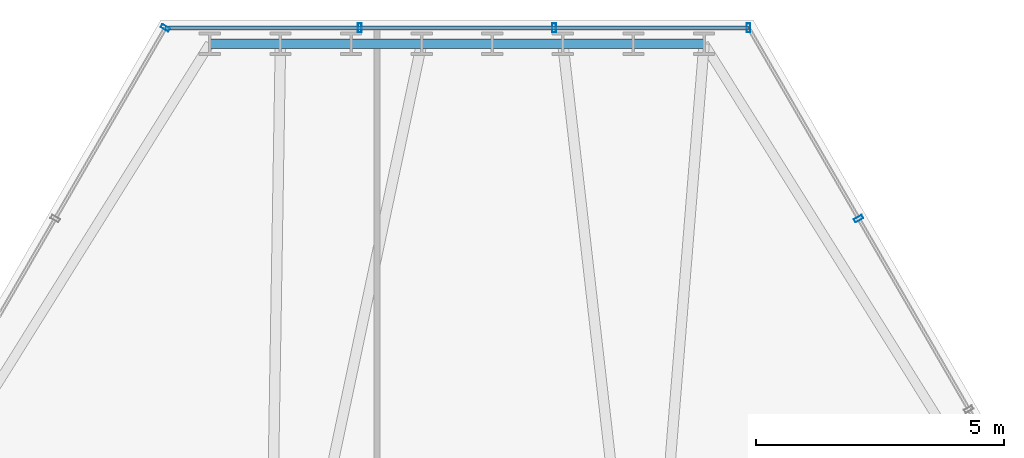
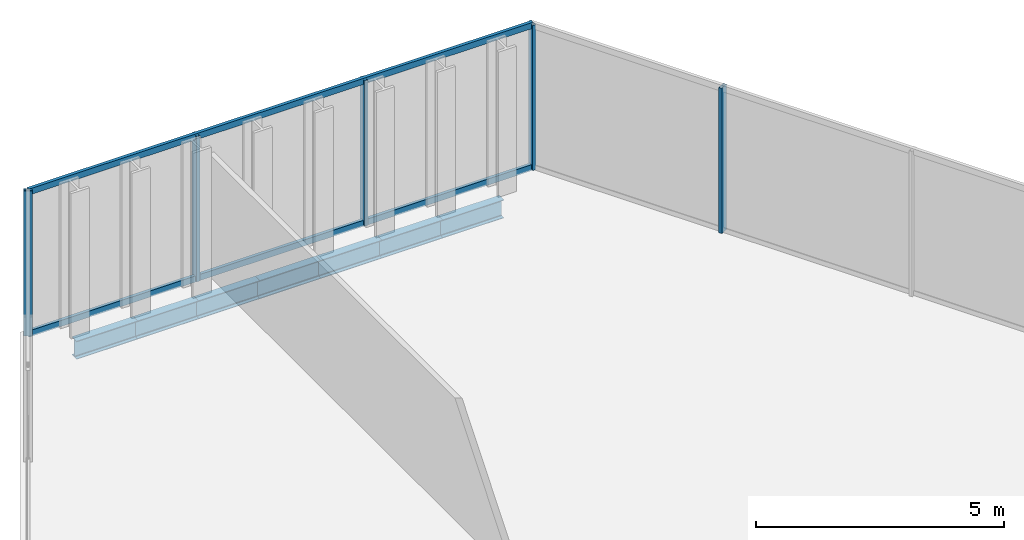
# One storey, part 22 of 31: 7 beams, 7 members, 3 elements without a shape of their own.
"""IFC4 building model written with IfcOpenShell, lengths in metres."""

import ifcopenshell
import ifcopenshell.guid

model = None  # the IFC model being written
_history = None  # IfcOwnerHistory: only IFC2X3 demands one
_inside = {}  # id of a spatial element -> (the spatial element, [elements in it])
_under = {}  # id of a project, library or spatial element -> (it, [spatial elements below it])
_declared = {}  # id of a project -> (the project, [libraries it declares])
_typed = {}  # id of a type object -> (the type object, [elements of that type])
_made_of = {}  # id of a material, layer set ... -> (it, [elements and type objects made of it])


def new_model(schema):
    """Start an empty IFC model of exactly this schema.

    Asked for "IFC4X3", IfcOpenShell would pick the latest addendum, in which some entities
    have other attributes; the version numbers below select the first issue.
    IFC2X3 requires an IfcOwnerHistory on every rooted entity: one is made here for all.
    """
    global model, _history
    if schema == "IFC4X3":
        model = ifcopenshell.file(schema_version=(4, 3, 0, 0))
    else:
        model = ifcopenshell.file(schema=schema)
    _inside.clear()
    _under.clear()
    _declared.clear()
    _typed.clear()
    _made_of.clear()
    _history = None
    if model.schema == "IFC2X3":
        org = make("IfcOrganization", Name="unknown")
        user = make(
            "IfcPersonAndOrganization",
            ThePerson=make("IfcPerson", FamilyName="unknown"),
            TheOrganization=org,
        )
        app = make(
            "IfcApplication",
            ApplicationDeveloper=org,
            Version="unknown",
            ApplicationFullName="unknown",
            ApplicationIdentifier="unknown",
        )
        _history = make(
            "IfcOwnerHistory",
            OwningUser=user,
            OwningApplication=app,
            ChangeAction="ADDED",
            CreationDate=0,
        )
    return model


def make(cls, **values):
    """One entity of the class cls with the attributes given. An attribute that is None is left unset."""
    return model.create_entity(
        cls, **{name: value for name, value in values.items() if value is not None}
    )


def rooted(cls, **values):
    """An entity with a GlobalId (a new one), such as an element, a storey or a relation."""
    return make(cls, GlobalId=ifcopenshell.guid.new(), OwnerHistory=_history, **values)


def si_unit(unit_type, name, prefix=None):
    """IfcSIUnit, for example si_unit("LENGTHUNIT", "METRE", prefix="MILLI")."""
    return make("IfcSIUnit", UnitType=unit_type, Prefix=prefix, Name=name)


def assignment(units):
    """IfcUnitAssignment: the units of a project."""
    return None if units is None else make("IfcUnitAssignment", Units=units)


def point(xyz):
    """IfcCartesianPoint."""
    return None if xyz is None else make("IfcCartesianPoint", Coordinates=xyz)


def direction(xyz):
    """IfcDirection."""
    return None if xyz is None else make("IfcDirection", DirectionRatios=xyz)


def frame(location, z_axis=None, x_axis=None):
    """IfcAxis2Placement3D, a coordinate frame: its origin and axes. An axis left out is left unset."""
    return make(
        "IfcAxis2Placement3D",
        Location=point(location),
        Axis=direction(z_axis),
        RefDirection=direction(x_axis),
    )


def frame_2d(location, x_axis=None):
    """IfcAxis2Placement2D, a coordinate frame in the plane: its origin and x axis."""
    return make(
        "IfcAxis2Placement2D", Location=point(location), RefDirection=direction(x_axis)
    )


def origin():
    """The frame at (0, 0, 0) with its axes left unset."""
    return frame((0.0, 0.0, 0.0))


def origin_2d():
    """The frame at (0, 0) in the plane with its x axis left unset."""
    return frame_2d((0.0, 0.0))


def place(relative_to, where):
    """IfcLocalPlacement: puts the frame where relative to a parent placement (None: the world)."""
    return make(
        "IfcLocalPlacement", PlacementRelTo=relative_to, RelativePlacement=where
    )


def context(
    kind, dimensions, precision=None, world=None, true_north=None, identifier=None
):
    """IfcGeometricRepresentationContext, for example the 3D "Model" context."""
    return make(
        "IfcGeometricRepresentationContext",
        ContextIdentifier=identifier,
        ContextType=kind,
        CoordinateSpaceDimension=dimensions,
        Precision=precision,
        WorldCoordinateSystem=world,
        TrueNorth=true_north,
    )


def subcontext(parent, identifier, kind, view, scale=None):
    """IfcGeometricRepresentationSubContext, for example "Body" below "Model"."""
    return make(
        "IfcGeometricRepresentationSubContext",
        ContextIdentifier=identifier,
        ContextType=kind,
        ParentContext=parent,
        TargetScale=scale,
        TargetView=view,
    )


def project(units=None, contexts=None):
    """IfcProject with its units and contexts."""
    return rooted(
        "IfcProject",
        Name="project",
        RepresentationContexts=contexts,
        UnitsInContext=assignment(units),
    )


def spatial(cls, under=None, at=None, **own):
    """A site, building, storey or space (cls), placed at a placement, below another one or the project."""
    s = rooted(cls, ObjectPlacement=at, **own)
    if under is not None:
        _under.setdefault(under.id(), (under, []))[1].append(s)
    return s


def profile(cls, at=None, kind="AREA", **sizes):
    """A parametric profile (cls). Its sizes go by their IFC names, for example OverallWidth=200.0."""
    return make(cls, ProfileType=kind, Position=at, **sizes)


def hollow_rectangle(**sizes):
    """IfcRectangleHollowProfileDef."""
    return profile("IfcRectangleHollowProfileDef", **sizes)


def i_section(**sizes):
    """IfcIShapeProfileDef."""
    return profile("IfcIShapeProfileDef", **sizes)


def extrude(swept, where, along, depth):
    """IfcExtrudedAreaSolid: the profile swept, set in the frame where, extruded along a direction by depth."""
    return make(
        "IfcExtrudedAreaSolid",
        SweptArea=swept,
        Position=where,
        ExtrudedDirection=direction(along),
        Depth=depth,
    )


def shape(context_of_items, identifier, shape_type, items):
    """IfcShapeRepresentation: the items that make up one representation, for example the "Body"."""
    return make(
        "IfcShapeRepresentation",
        ContextOfItems=context_of_items,
        RepresentationIdentifier=identifier,
        RepresentationType=shape_type,
        Items=items,
    )


def material(Name=None, Category=None):
    """IfcMaterial."""
    return make("IfcMaterial", Name=Name, Category=Category)


def layer(
    of_material, thickness, ventilated=None, Name=None, Category=None, Priority=None
):
    """IfcMaterialLayer: one layer of a wall or slab, of a material (None: an air gap)."""
    return make(
        "IfcMaterialLayer",
        Material=of_material,
        LayerThickness=thickness,
        IsVentilated=ventilated,
        Name=Name,
        Category=Category,
        Priority=Priority,
    )


def layer_set(layers, Name=None):
    """IfcMaterialLayerSet."""
    return make("IfcMaterialLayerSet", MaterialLayers=layers, LayerSetName=Name)


def material_profile(
    of_material, cross_section, Name=None, Category=None, Priority=None
):
    """IfcMaterialProfile: a cross section and its material."""
    return make(
        "IfcMaterialProfile",
        Name=Name,
        Material=of_material,
        Profile=cross_section,
        Priority=Priority,
        Category=Category,
    )


def profile_set(profiles, Name=None, composite=None):
    """IfcMaterialProfileSet."""
    return make(
        "IfcMaterialProfileSet",
        Name=Name,
        MaterialProfiles=profiles,
        CompositeProfile=composite,
    )


def made_of(thing, what):
    """Note that an element or type object is made of a material, layer set ...; save() writes the relation."""
    if what is not None:
        _made_of.setdefault(what.id(), (what, []))[1].append(thing)
    return thing


def type_object(cls, material=None, **own):
    """A type object (cls), such as IfcWallType, which elements share."""
    return made_of(rooted(cls, **own), material)


def element(
    cls,
    number,
    at=None,
    inside=None,
    cuts=None,
    type_object=None,
    material=None,
    context=None,
    identifier="Body",
    shape_type=None,
    held_by="IfcProductDefinitionShape",
    body=None,
    shapes=None,
    **own,
):
    """One element of the class cls, such as IfcWall. Its Tag is "e" and its number.

    at: its placement. inside: the storey or other place that contains it. cuts: it is an
    opening in that element (IfcRelVoidsElement). A single representation is given by context,
    identifier, shape_type and body (its items); several are given by shapes. held_by: the class
    of the entity that holds the representations. save() writes the other relations.
    """
    e = rooted(cls, Tag="e%d" % number, ObjectPlacement=at, **own)
    if body is not None:
        shapes = [shape(context, identifier, shape_type, body)]
    if shapes is not None:
        e.Representation = make(held_by, Representations=shapes)
    if inside is not None:
        _inside.setdefault(inside.id(), (inside, []))[1].append(e)
    if cuts is not None:
        rooted(
            "IfcRelVoidsElement", RelatingBuildingElement=cuts, RelatedOpeningElement=e
        )
    if type_object is not None:
        _typed.setdefault(type_object.id(), (type_object, []))[1].append(e)
    return made_of(e, material)


def aggregate(whole, parts):
    """IfcRelAggregates: a whole, such as a stair, and the parts it consists of."""
    return rooted("IfcRelAggregates", RelatingObject=whole, RelatedObjects=parts)


def save(model, path):
    """Write the relations noted so far, then the file.

    IfcRelAggregates (storeys below a building ...), IfcRelContainedInSpatialStructure (elements
    in a storey), IfcRelDefinesByType, IfcRelAssociatesMaterial and IfcRelDeclares: one each for
    every whole, place, type object, material and project.
    """
    for whole, parts in _under.values():
        aggregate(whole, parts)
    for where, things in _inside.values():
        rooted(
            "IfcRelContainedInSpatialStructure",
            RelatedElements=things,
            RelatingStructure=where,
        )
    for kind, things in _typed.values():
        rooted("IfcRelDefinesByType", RelatedObjects=things, RelatingType=kind)
    for what, things in _made_of.values():
        rooted("IfcRelAssociatesMaterial", RelatedObjects=things, RelatingMaterial=what)
    for by, libraries in _declared.values():
        rooted("IfcRelDeclares", RelatingContext=by, RelatedDefinitions=libraries)
    model.write(path)


model = new_model("IFC4")

# Units and contexts
model_context = context("Model", 3, precision=1e-05, world=origin(), true_north=direction((0.0, 1.0)))
body_context = subcontext(model_context, "Body", "Model", "MODEL_VIEW")
ifc_project = project(units=[si_unit("LENGTHUNIT", "METRE"), si_unit("AREAUNIT", "SQUARE_METRE"), si_unit("VOLUMEUNIT", "CUBIC_METRE"), si_unit("PLANEANGLEUNIT", "RADIAN"), si_unit("MASSUNIT", "GRAM", prefix="KILO")], contexts=[model_context])

# Site, building, storey
site_placement = place(None, origin())
site = spatial("IfcSite", under=ifc_project, at=site_placement, CompositionType="ELEMENT")
building_placement = place(site_placement, origin())
building = spatial("IfcBuilding", under=site, at=building_placement, Name="Ndaravel Arena Tower", CompositionType="ELEMENT")
storey_placement = place(building_placement, frame((0.0, 0.0, 142.199951171875)))
storey = spatial("IfcBuildingStorey", under=building, at=storey_placement, Name="L33", CompositionType="ELEMENT", Elevation=142.199951171875)

# Beams
ifc_material_1 = material(Name="Steel S355", Category="steel")
ifc_material_profile_1 = material_profile(ifc_material_1, i_section(OverallWidth=0.18994140625, OverallDepth=0.449951171875, WebThickness=0.009521484375, FlangeThickness=0.0146484375, FilletRadius=0.02099609375, at=origin_2d()), Name="IPE 450")
ifc_profile_set_1 = profile_set([ifc_material_profile_1], Name="Steel S355")
beam_type = type_object("IfcBeamType", Name="BM-SPAN-IPE450", PredefinedType="SPANDREL", material=ifc_profile_set_1)
beam_1_placement = place(storey_placement, frame((46.98291015625, 45.784912109375, -0.445068359375), z_axis=(-1.0, 0.0, 0.0), x_axis=(0.0, -1.0, 0.0)))
element("IfcBeam", 1, at=beam_1_placement, inside=storey, type_object=beam_type, Name="L33 Perimeter Spandrel Beam SP-11", PredefinedType="SPANDREL", context=body_context, shape_type="SweptSolid", body=[
    extrude(i_section(OverallWidth=0.18994140625, OverallDepth=0.449951171875, WebThickness=0.009521484375, FlangeThickness=0.0146484375, FilletRadius=0.02099609375, at=origin_2d()), origin(), (0.0, 0.0, 1.0), 1.423828125),
])
for number, where, z_axis, x_axis, name in (
    (2, (45.55908203125, 45.784912109375, -0.445068359375), (-1.0, 0.0, 0.0), (0.0, -1.0, 0.0), "L33 Perimeter Spandrel Beam SP-12"),
    (3, (44.135498046875, 45.784912109375, -0.445068359375), (-1.0, 0.0, 0.0), (0.0, -1.0, 0.0), "L33 Perimeter Spandrel Beam SP-13"),
):
    element("IfcBeam", number, at=place(storey_placement, frame(where, z_axis=z_axis, x_axis=x_axis)), inside=storey, type_object=beam_type, Name=name, PredefinedType="SPANDREL", context=body_context, shape_type="SweptSolid", body=[
        extrude(i_section(OverallWidth=0.18994140625, OverallDepth=0.449951171875, WebThickness=0.009521484375, FlangeThickness=0.0146484375, FilletRadius=0.02099609375, at=origin_2d()), origin(), (0.0, 0.0, 1.0), 1.423583984375),
    ])
beam_2_placement = place(storey_placement, frame((42.7119140625, 45.784912109375, -0.445068359375), z_axis=(-1.0, 0.0, 0.0), x_axis=(0.0, -1.0, 0.0)))
element("IfcBeam", 4, at=beam_2_placement, inside=storey, type_object=beam_type, Name="L33 Perimeter Spandrel Beam SP-14", PredefinedType="SPANDREL", context=body_context, shape_type="SweptSolid", body=[
    extrude(i_section(OverallWidth=0.18994140625, OverallDepth=0.449951171875, WebThickness=0.009521484375, FlangeThickness=0.0146484375, FilletRadius=0.02099609375, at=origin_2d()), origin(), (0.0, 0.0, 1.0), 1.423828125),
])
for number, where, z_axis, x_axis, name in (
    (5, (41.2880859375, 45.784912109375, -0.445068359375), (-1.0, 0.0, 0.0), (0.0, -1.0, 0.0), "L33 Perimeter Spandrel Beam SP-15"),
    (6, (39.864501953125, 45.784912109375, -0.445068359375), (-1.0, 0.0, 0.0), (0.0, -1.0, 0.0), "L33 Perimeter Spandrel Beam SP-16"),
):
    element("IfcBeam", number, at=place(storey_placement, frame(where, z_axis=z_axis, x_axis=x_axis)), inside=storey, type_object=beam_type, Name=name, PredefinedType="SPANDREL", context=body_context, shape_type="SweptSolid", body=[
        extrude(i_section(OverallWidth=0.18994140625, OverallDepth=0.449951171875, WebThickness=0.009521484375, FlangeThickness=0.0146484375, FilletRadius=0.02099609375, at=origin_2d()), origin(), (0.0, 0.0, 1.0), 1.423583984375),
    ])
beam_3_placement = place(storey_placement, frame((38.44091796875, 45.784912109375, -0.445068359375), z_axis=(-1.0, 0.0, 0.0), x_axis=(0.0, -1.0, 0.0)))
element("IfcBeam", 7, at=beam_3_placement, inside=storey, type_object=beam_type, Name="L33 Perimeter Spandrel Beam SP-17", PredefinedType="SPANDREL", context=body_context, shape_type="SweptSolid", body=[
    extrude(i_section(OverallWidth=0.18994140625, OverallDepth=0.449951171875, WebThickness=0.009521484375, FlangeThickness=0.0146484375, FilletRadius=0.02099609375, at=origin_2d()), origin(), (0.0, 0.0, 1.0), 1.423828125),
])

# Curtain wall, member
ifc_material_2 = material(Name="Aluminium", Category="aluminium")
ifc_layer_1 = layer(ifc_material_2, 0.179931640625)
ifc_layer_set_1 = layer_set([ifc_layer_1], Name="Aluminium")
curtain_wall_type_1 = type_object("IfcCurtainWallType", Name="CW-SYS-03", PredefinedType="NOTDEFINED", material=ifc_layer_set_1)
curtain_wall_1_placement = place(storey_placement, origin())
curtain_wall_1 = element("IfcCurtainWall", 8, at=curtain_wall_1_placement, inside=storey, type_object=curtain_wall_type_1, Name="L33 Faceted Crystal Curtain Wall CW-L33-E03", PredefinedType="NOTDEFINED")
ifc_material_3 = material(Name="Aluminium", Category="aluminium")
ifc_material_profile_2 = material_profile(ifc_material_3, hollow_rectangle(XDim=0.074951171875, YDim=0.179931640625, WallThickness=0.00390625, at=origin_2d()), Name="CW MULLION 75x180x4")
ifc_profile_set_2 = profile_set([ifc_material_profile_2], Name="Aluminium")
member_type_1 = type_object("IfcMemberType", Name="MEM-CW-MUL180", PredefinedType="MULLION", material=ifc_profile_set_2)
member_1_placement = place(storey_placement, frame((50.099365234375, 42.259765625, 0.0), z_axis=(0.0, 0.0, 1.0), x_axis=(-0.5, 0.866025403784, 0.0)))
member_1 = element("IfcMember", 9, at=member_1_placement, type_object=member_type_1, Name="CW-L33-E03 Mullion 07", PredefinedType="MULLION", context=body_context, shape_type="SweptSolid", body=[
    extrude(hollow_rectangle(XDim=0.074951171875, YDim=0.179931640625, WallThickness=0.00390625, at=origin_2d()), origin(), (0.0, 0.0, 1.0), 3.580078125),
])
aggregate(curtain_wall_1, [member_1])

# Curtain wall, members
ifc_material_4 = material(Name="Aluminium", Category="aluminium")
ifc_layer_2 = layer(ifc_material_4, 0.179931640625)
ifc_layer_set_2 = layer_set([ifc_layer_2], Name="Aluminium")
curtain_wall_type_2 = type_object("IfcCurtainWallType", Name="CW-SYS-01", PredefinedType="NOTDEFINED", material=ifc_layer_set_2)
curtain_wall_2_placement = place(storey_placement, origin())
curtain_wall_2 = element("IfcCurtainWall", 10, at=curtain_wall_2_placement, inside=storey, type_object=curtain_wall_type_2, Name="L33 Faceted Crystal Curtain Wall CW-L33-E04", PredefinedType="NOTDEFINED")
member_2_placement = place(storey_placement, frame((47.87939453125, 46.10498046875, 0.0), z_axis=(0.0, 0.0, 1.0), x_axis=(-1.0, 0.0, 0.0)))
member_2 = element("IfcMember", 11, at=member_2_placement, type_object=member_type_1, Name="CW-L33-E04 Mullion 00", PredefinedType="MULLION", context=body_context, shape_type="SweptSolid", body=[
    extrude(hollow_rectangle(XDim=0.074951171875, YDim=0.179931640625, WallThickness=0.00390625, at=origin_2d()), origin(), (0.0, 0.0, 1.0), 3.580078125),
])
member_3_placement = place(storey_placement, frame((43.959716796875, 46.10498046875, 0.0), z_axis=(0.0, 0.0, 1.0), x_axis=(-1.0, 0.0, 0.0)))
member_3 = element("IfcMember", 12, at=member_3_placement, type_object=member_type_1, Name="CW-L33-E04 Mullion 01", PredefinedType="MULLION", context=body_context, shape_type="SweptSolid", body=[
    extrude(hollow_rectangle(XDim=0.074951171875, YDim=0.179931640625, WallThickness=0.00390625, at=origin_2d()), origin(), (0.0, 0.0, 1.0), 3.580078125),
])
member_4_placement = place(storey_placement, frame((40.040283203125, 46.10498046875, 0.0), z_axis=(0.0, 0.0, 1.0), x_axis=(-1.0, 0.0, 0.0)))
member_4 = element("IfcMember", 13, at=member_4_placement, type_object=member_type_1, Name="CW-L33-E04 Mullion 02", PredefinedType="MULLION", context=body_context, shape_type="SweptSolid", body=[
    extrude(hollow_rectangle(XDim=0.074951171875, YDim=0.179931640625, WallThickness=0.00390625, at=origin_2d()), origin(), (0.0, 0.0, 1.0), 3.580078125),
])

# Curtain wall, member
curtain_wall_3_placement = place(storey_placement, origin())
curtain_wall_3 = element("IfcCurtainWall", 14, at=curtain_wall_3_placement, inside=storey, type_object=curtain_wall_type_1, Name="L33 Faceted Crystal Curtain Wall CW-L33-E05", PredefinedType="NOTDEFINED")
member_5_placement = place(storey_placement, frame((36.12060546875, 46.10498046875, 0.0), z_axis=(0.0, 0.0, 1.0), x_axis=(-0.5, -0.866025403784, 0.0)))
member_5 = element("IfcMember", 15, at=member_5_placement, type_object=member_type_1, Name="CW-L33-E05 Mullion 00", PredefinedType="MULLION", context=body_context, shape_type="SweptSolid", body=[
    extrude(hollow_rectangle(XDim=0.074951171875, YDim=0.179931640625, WallThickness=0.00390625, at=origin_2d()), origin(), (0.0, 0.0, 1.0), 3.580078125),
])
aggregate(curtain_wall_3, [member_5])

# Member
ifc_material_5 = material(Name="Aluminium", Category="aluminium")
ifc_material_profile_3 = material_profile(ifc_material_5, hollow_rectangle(XDim=0.074951171875, YDim=0.14990234375, WallThickness=0.00390625, at=origin_2d()), Name="CW TRANSOM 75x150x4")
ifc_profile_set_3 = profile_set([ifc_material_profile_3], Name="Aluminium")
member_type_2 = type_object("IfcMemberType", Name="MEM-CW-TRN150", PredefinedType="USERDEFINED", material=ifc_profile_set_3)
member_6_placement = place(storey_placement, frame((47.87939453125, 46.10498046875, 0.0400390625), z_axis=(-1.0, 0.0, 0.0), x_axis=(0.0, -1.0, 0.0)))
member_6 = element("IfcMember", 16, at=member_6_placement, type_object=member_type_2, Name="CW-L33-E04 Transom 01", ObjectType="TRANSOM", PredefinedType="USERDEFINED", context=body_context, shape_type="SweptSolid", body=[
    extrude(hollow_rectangle(XDim=0.074951171875, YDim=0.14990234375, WallThickness=0.00390625, at=origin_2d()), origin(), (0.0, 0.0, 1.0), 11.7587890625),
])

member_7_placement = place(storey_placement, frame((47.87939453125, 46.10498046875, 3.5400390625), z_axis=(-1.0, 0.0, 0.0), x_axis=(0.0, -1.0, 0.0)))
member_7 = element("IfcMember", 17, at=member_7_placement, type_object=member_type_2, Name="CW-L33-E04 Transom 02", ObjectType="TRANSOM", PredefinedType="USERDEFINED", context=body_context, shape_type="SweptSolid", body=[
    extrude(hollow_rectangle(XDim=0.074951171875, YDim=0.14990234375, WallThickness=0.00390625, at=origin_2d()), origin(), (0.0, 0.0, 1.0), 11.7587890625),
])

aggregate(curtain_wall_2, [member_2, member_3, member_4, member_6, member_7])

save(model, "model.ifc")
